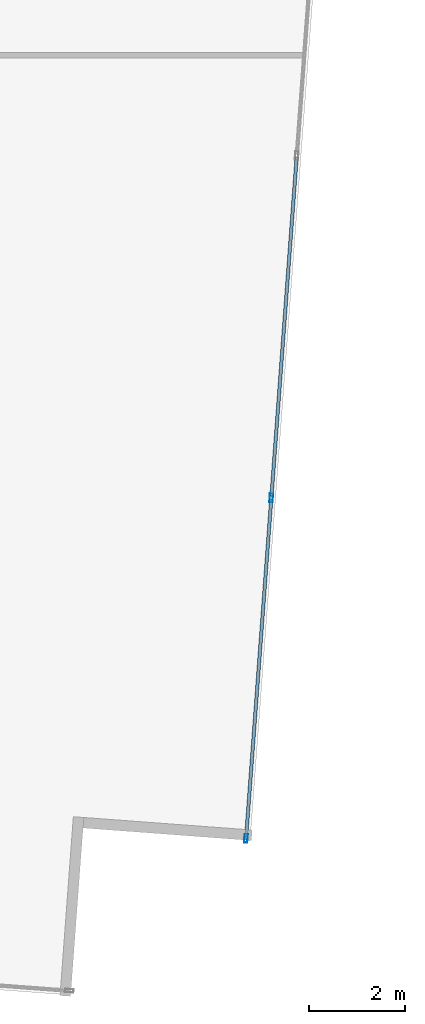
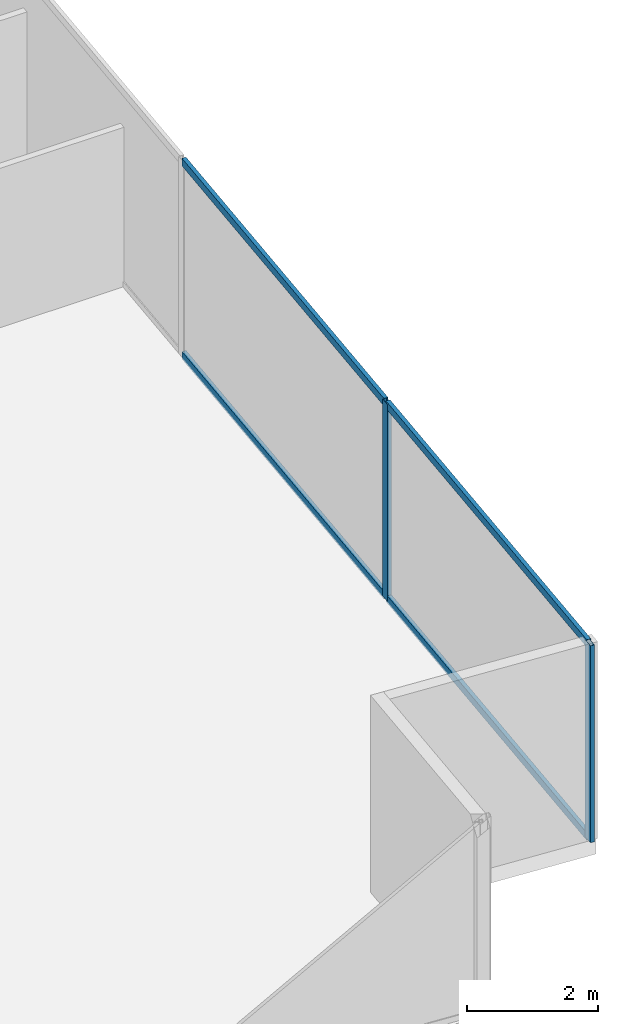
# One storey, part 14 of 30: 6 members, 1 element without a shape of its own.
"""IFC4 building model written with IfcOpenShell, lengths in metres."""

from ifc_helpers import new_model, si_unit, direction, frame, origin, origin_2d, place, context, subcontext, project, spatial, hollow_rectangle, extrude, source, transform, mapped, material, material_profile, profile_set, type_object, type_shapes, element, aggregate, save


model = new_model("IFC4")

# Units and contexts
model_context = context("Model", 3, precision=1e-05, world=origin(), true_north=direction((0.0, 1.0)))
body_context = subcontext(model_context, "Body", "Model", "MODEL_VIEW")
ifc_project = project(units=[si_unit("LENGTHUNIT", "METRE"), si_unit("AREAUNIT", "SQUARE_METRE"), si_unit("VOLUMEUNIT", "CUBIC_METRE"), si_unit("PLANEANGLEUNIT", "RADIAN"), si_unit("MASSUNIT", "GRAM", prefix="KILO")], contexts=[model_context])

# Site, building, storey
site_placement = place(None, origin())
site = spatial("IfcSite", under=ifc_project, at=site_placement, CompositionType="ELEMENT")
building_placement = place(site_placement, origin())
building = spatial("IfcBuilding", under=site, at=building_placement, Name="Krantzveldt Concourse Tower", CompositionType="ELEMENT")
storey_placement = place(building_placement, frame((0.0, 0.0, 52.64990234375)))
storey = spatial("IfcBuildingStorey", under=building, at=storey_placement, Name="L12", CompositionType="ELEMENT", Elevation=52.64990234375)

# Curtain wall, members
ifc_material = material(Name="Anodised aluminium 6063-T6", Category="aluminium")
curtain_wall_type = type_object("IfcCurtainWallType", Name="CW2", PredefinedType="USERDEFINED", material=ifc_material)
curtain_wall_placement = place(storey_placement, origin())
curtain_wall = element("IfcCurtainWall", 1, at=curtain_wall_placement, inside=storey, type_object=curtain_wall_type, Name="CW-L12-F07", ObjectType="UNITISED CURTAIN WALL", PredefinedType="USERDEFINED")
ifc_material_profile_1 = material_profile(ifc_material, hollow_rectangle(XDim=0.070068359375, YDim=0.139892578125, WallThickness=0.0048828125, at=origin_2d()), Name="Anodised aluminium 6063-T6", Category="aluminium")
ifc_profile_set_1 = profile_set([ifc_material_profile_1], Name="Anodised aluminium 6063-T6 - ALU-TRAN 140x70x5")
member_type_1 = type_object("IfcMemberType", Name="CW-TRN-150", PredefinedType="USERDEFINED", material=ifc_profile_set_1)
shared_shape_1 = source(origin(), body_context, "Body", "SweptSolid", [
    extrude(hollow_rectangle(XDim=0.070068359375, YDim=0.139892578125, WallThickness=0.0048828125, at=origin_2d()), origin(), (0.0, 0.0, 1.0), 7.0615234375),
])
member_1_placement = place(storey_placement, frame((59.25341796875, 3.48291015625, 0.03515625), z_axis=(0.074089449766, 0.997251599865, 0.0), x_axis=(-0.997251599865, 0.074089449766, 0.0)))
member_1 = element("IfcMember", 2, at=member_1_placement, type_object=member_type_1, Name="CW-Z12 transom 1.1", ObjectType="TRANSOM", PredefinedType="USERDEFINED", context=body_context, shape_type="MappedRepresentation", body=[
    mapped(shared_shape_1, transform((0.0, 0.0, 0.0), x_axis=(1.0, 0.0, 0.0), y_axis=(0.0, 1.0, 0.0), z_axis=(0.0, 0.0, 1.0), scale=1.0)),
])
member_2_placement = place(storey_placement, frame((59.25341796875, 3.48291015625, 3.635009765625), z_axis=(0.074089449766, 0.997251599865, 0.0), x_axis=(-0.997251599865, 0.074089449766, 0.0)))
member_2 = element("IfcMember", 3, at=member_2_placement, type_object=member_type_1, Name="CW-Z12 transom 1.2", ObjectType="TRANSOM", PredefinedType="USERDEFINED", context=body_context, shape_type="MappedRepresentation", body=[
    mapped(shared_shape_1, transform((0.0, 0.0, 0.0), x_axis=(1.0, 0.0, 0.0), y_axis=(0.0, 1.0, 0.0), z_axis=(0.0, 0.0, 1.0), scale=1.0)),
])
shared_shape_2 = source(origin(), body_context, "Body", "SweptSolid", [
    extrude(hollow_rectangle(XDim=0.070068359375, YDim=0.139892578125, WallThickness=0.0048828125, at=origin_2d()), origin(), (0.0, 0.0, 1.0), 7.0966796875),
])
type_shapes(member_type_1, [shared_shape_1, shared_shape_2])
member_3_placement = place(storey_placement, frame((59.781982421875, 10.594970703125, 0.03515625), z_axis=(0.074102314311, 0.997250644028, 0.0), x_axis=(-0.997250644028, 0.074102314311, 0.0)))
member_3 = element("IfcMember", 4, at=member_3_placement, type_object=member_type_1, Name="CW-Z12 transom 2.1", ObjectType="TRANSOM", PredefinedType="USERDEFINED", context=body_context, shape_type="MappedRepresentation", body=[
    mapped(shared_shape_2, transform((0.0, 0.0, 0.0), x_axis=(1.0, 0.0, 0.0), y_axis=(0.0, 1.0, 0.0), z_axis=(0.0, 0.0, 1.0), scale=1.0)),
])
member_4_placement = place(storey_placement, frame((59.781982421875, 10.594970703125, 3.635009765625), z_axis=(0.074102314311, 0.997250644028, 0.0), x_axis=(-0.997250644028, 0.074102314311, 0.0)))
member_4 = element("IfcMember", 5, at=member_4_placement, type_object=member_type_1, Name="CW-Z12 transom 2.2", ObjectType="TRANSOM", PredefinedType="USERDEFINED", context=body_context, shape_type="MappedRepresentation", body=[
    mapped(shared_shape_2, transform((0.0, 0.0, 0.0), x_axis=(1.0, 0.0, 0.0), y_axis=(0.0, 1.0, 0.0), z_axis=(0.0, 0.0, 1.0), scale=1.0)),
])
ifc_material_profile_2 = material_profile(ifc_material, hollow_rectangle(XDim=0.070068359375, YDim=0.179931640625, WallThickness=0.0048828125, at=origin_2d()), Name="Anodised aluminium 6063-T6", Category="aluminium")
ifc_profile_set_2 = profile_set([ifc_material_profile_2], Name="Anodised aluminium 6063-T6 - ALU-MULL 180x70x5")
member_type_2 = type_object("IfcMemberType", Name="CW-MUL-180", PredefinedType="MULLION", material=ifc_profile_set_2)
shared_shape_3 = source(origin(), body_context, "Body", "SweptSolid", [
    extrude(hollow_rectangle(XDim=0.070068359375, YDim=0.179931640625, WallThickness=0.0048828125, at=origin_2d()), origin(), (0.0, 0.0, 1.0), 3.670166015625),
])
type_shapes(member_type_2, [shared_shape_3])
member_5_placement = place(storey_placement, frame((59.250732421875, 3.447998046875, 0.0), z_axis=(0.0, 0.0, 1.0), x_axis=(-0.997250176902, 0.07410860051, 0.0)))
member_5 = element("IfcMember", 6, at=member_5_placement, type_object=member_type_2, Name="CW-Z12 mullion 1", PredefinedType="MULLION", context=body_context, shape_type="MappedRepresentation", body=[
    mapped(shared_shape_3, transform((0.0, 0.0, 0.0), x_axis=(1.0, 0.0, 0.0), y_axis=(0.0, 1.0, 0.0), z_axis=(0.0, 0.0, 1.0), scale=1.0)),
])
member_6_placement = place(storey_placement, frame((59.779296875, 10.56005859375, 0.0), z_axis=(0.0, 0.0, 1.0), x_axis=(-0.997250176902, 0.07410860051, 0.0)))
member_6 = element("IfcMember", 7, at=member_6_placement, type_object=member_type_2, Name="CW-Z12 mullion 2", PredefinedType="MULLION", context=body_context, shape_type="MappedRepresentation", body=[
    mapped(shared_shape_3, transform((0.0, 0.0, 0.0), x_axis=(1.0, 0.0, 0.0), y_axis=(0.0, 1.0, 0.0), z_axis=(0.0, 0.0, 1.0), scale=1.0)),
])
aggregate(curtain_wall, [member_5, member_6, member_1, member_2, member_3, member_4])

save(model, "model.ifc")
